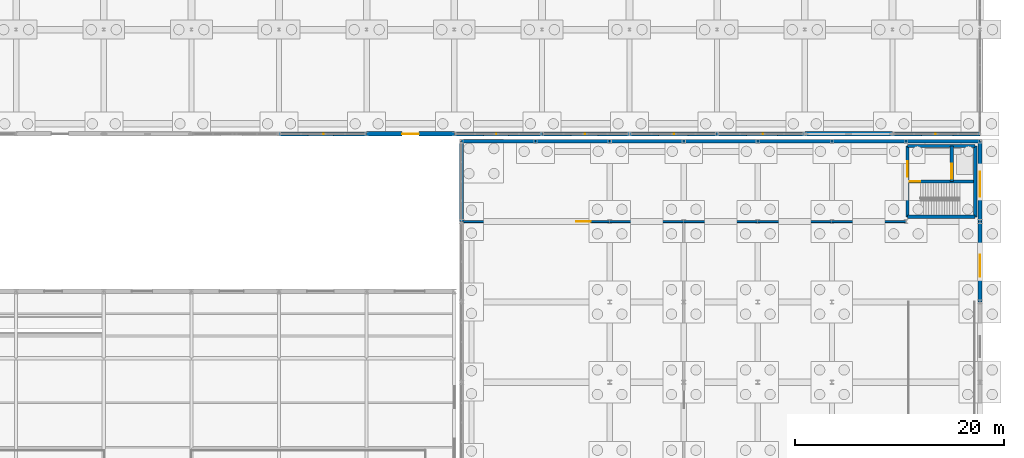
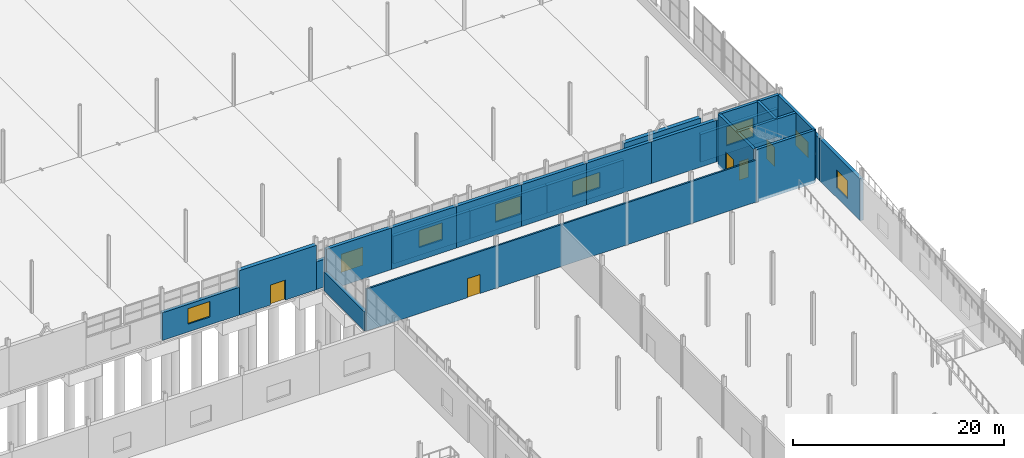
# One storey, part 128 of 139: 25 walls, 8 windows, 5 doors, 13 openings.
"""IFC4 building model written with IfcOpenShell, lengths in metres."""

from ifc_helpers import new_model, si_unit, direction, frame, frame_2d, origin, place, context, subcontext, project, spatial, rectangle, extrude, material, layer, layer_set, type_object, element, fill, save


model = new_model("IFC4")

# Units and contexts
model_context = context("Model", 3, precision=1e-05, world=origin(), true_north=direction((0.0, 1.0)))
body_context = subcontext(model_context, "Body", "Model", "MODEL_VIEW")
ifc_project = project(units=[si_unit("LENGTHUNIT", "METRE"), si_unit("AREAUNIT", "SQUARE_METRE"), si_unit("VOLUMEUNIT", "CUBIC_METRE"), si_unit("PLANEANGLEUNIT", "RADIAN"), si_unit("MASSUNIT", "GRAM", prefix="KILO")], contexts=[model_context])

# Site, building, storey
site_placement = place(None, origin())
site = spatial("IfcSite", under=ifc_project, at=site_placement, CompositionType="ELEMENT")
building_placement = place(site_placement, origin())
building = spatial("IfcBuilding", under=site, at=building_placement, Name="Kazenagashi Tramway Depot", CompositionType="ELEMENT")
storey_placement = place(building_placement, origin())
storey = spatial("IfcBuildingStorey", under=building, at=storey_placement, Name="L01", CompositionType="ELEMENT", Elevation=0.0)

# Wall, opening, door
ifc_material_1 = material(Name="Clay Brick Masonry JIS R 1250 Class 1 (20 MPa)", Category="masonry")
ifc_layer_1 = layer(ifc_material_1, 0.43)
ifc_layer_set_1 = layer_set([ifc_layer_1], Name="Clay Brick Masonry JIS R 1250 Class 1 (20 MPa)")
wall_type_1 = type_object("IfcWallType", Name="W-BK1", PredefinedType="SOLIDWALL", material=ifc_layer_set_1)
wall_1_placement = place(storey_placement, frame((137.2, 70.0, 0.0), z_axis=(0.0, 0.0, 1.0), x_axis=(1.0, 0.0, 0.0)))
wall_1 = element("IfcWall", 1, at=wall_1_placement, inside=storey, type_object=wall_type_1, Name="Exterior Brick Wall W-BK1 EWALL-0021", PredefinedType="SOLIDWALL", context=body_context, shape_type="SweptSolid", body=[
    extrude(rectangle(XDim=8.4, YDim=0.43, at=frame_2d((4.2, 0.0))), origin(), (0.0, 0.0, 1.0), 5.14),
])
opening_1_placement = place(wall_1_placement, frame((3.4, 0.0, 0.0)))
opening_1 = element("IfcOpeningElement", 2, at=opening_1_placement, cuts=wall_1, Name="Opening D-003", PredefinedType="OPENING", context=body_context, shape_type="SweptSolid", body=[
    extrude(rectangle(XDim=1.6, YDim=2.3, at=frame_2d((0.8, 1.15))), frame((0.0, 0.225, 0.0), z_axis=(0.0, -1.0, 0.0), x_axis=(1.0, 0.0, 0.0)), (0.0, 0.0, 1.0), 0.45),
])
ifc_material_2 = material(Name="Anodised Aluminium and Laminated Glass", Category="aluminium")
door_type_1 = type_object("IfcDoorType", Name="DT-02", OperationType="NOTDEFINED", PredefinedType="DOOR", material=ifc_material_2)
door_1_placement = place(opening_1_placement, frame((1.6, 0.0, 0.0), z_axis=(0.0, 0.0, 1.0), x_axis=(-1.0, 0.0, 0.0)))
door_1 = element("IfcDoor", 3, at=door_1_placement, inside=storey, type_object=door_type_1, Name="Stabling Shed Pedestrian Final Exit Door D-003", OperationType="DOUBLE_DOOR_SINGLE_SWING", OverallHeight=2.3, OverallWidth=1.6, PredefinedType="DOOR", context=body_context, shape_type="SweptSolid", body=[
    extrude(rectangle(XDim=1.6, YDim=2.3, at=frame_2d((0.8, 1.15))), frame((0.0, 0.025, 0.0), z_axis=(0.0, -1.0, 0.0), x_axis=(1.0, 0.0, 0.0)), (0.0, 0.0, 1.0), 0.05),
])
fill(opening_1, door_1)

# Wall
wall_2_placement = place(storey_placement, frame((179.2, 70.0, 0.0), z_axis=(0.0, 0.0, 1.0), x_axis=(1.0, 0.0, 0.0)))
element("IfcWall", 4, at=wall_2_placement, inside=storey, type_object=wall_type_1, Name="Exterior Brick Wall W-BK1 EWALL-0026", PredefinedType="SOLIDWALL", context=body_context, shape_type="SweptSolid", body=[
    extrude(rectangle(XDim=8.4, YDim=0.43, at=frame_2d((4.2, 0.0))), origin(), (0.0, 0.0, 1.0), 5.14),
])

# Wall, opening, window
ifc_layer_2 = layer(ifc_material_1, 0.36)
ifc_layer_set_2 = layer_set([ifc_layer_2], Name="Clay Brick Masonry JIS R 1250 Class 1 (20 MPa)")
wall_type_2 = type_object("IfcWallType", Name="W-BK2", PredefinedType="SOLIDWALL", material=ifc_layer_set_2)
wall_3_placement = place(storey_placement, frame((128.8, 70.0, 0.0), z_axis=(0.0, 0.0, 1.0), x_axis=(1.0, 0.0, 0.0)))
wall_3 = element("IfcWall", 5, at=wall_3_placement, inside=storey, type_object=wall_type_2, Name="Exterior Brick Wall W-BK2 EWALL-0020", PredefinedType="SOLIDWALL", context=body_context, shape_type="SweptSolid", body=[
    extrude(rectangle(XDim=8.4, YDim=0.36, at=frame_2d((4.2, 0.0))), origin(), (0.0, 0.0, 1.0), 3.2),
])
opening_2_placement = place(wall_3_placement, frame((2.8, 0.0, 0.9)))
opening_2 = element("IfcOpeningElement", 6, at=opening_2_placement, cuts=wall_3, Name="Opening WN-09", PredefinedType="OPENING", context=body_context, shape_type="SweptSolid", body=[
    extrude(rectangle(XDim=2.4, YDim=1.8, at=frame_2d((1.2, 0.9))), frame((0.0, 0.19, 0.0), z_axis=(0.0, -1.0, 0.0), x_axis=(1.0, 0.0, 0.0)), (0.0, 0.0, 1.0), 0.38),
])
ifc_material_3 = material(Name="Anodised Aluminium and Tempered Low-E Glass", Category="aluminium")
window_type_1 = type_object("IfcWindowType", Name="WN-09", PartitioningType="SINGLE_PANEL", PredefinedType="WINDOW", material=ifc_material_3)
window_1_placement = place(opening_2_placement, origin())
window_1 = element("IfcWindow", 7, at=window_1_placement, inside=storey, type_object=window_type_1, Name="Window WN-09 WIN-0009", OverallHeight=1.8, OverallWidth=2.4, PartitioningType="SINGLE_PANEL", PredefinedType="WINDOW", context=body_context, shape_type="SweptSolid", body=[
    extrude(rectangle(XDim=2.4, YDim=1.8, at=frame_2d((1.2, 0.9))), frame((0.0, 0.03, 0.0), z_axis=(0.0, -1.0, 0.0), x_axis=(1.0, 0.0, 0.0)), (0.0, 0.0, 1.0), 0.06),
])
fill(opening_2, window_1)

wall_4_placement = place(storey_placement, frame((145.6, 70.0, 0.0), z_axis=(0.0, 0.0, 1.0), x_axis=(1.0, 0.0, 0.0)))
wall_4 = element("IfcWall", 8, at=wall_4_placement, inside=storey, type_object=wall_type_2, Name="Exterior Brick Wall W-BK2 EWALL-0022", PredefinedType="SOLIDWALL", context=body_context, shape_type="SweptSolid", body=[
    extrude(rectangle(XDim=8.4, YDim=0.36, at=frame_2d((4.2, 0.0))), origin(), (0.0, 0.0, 1.0), 3.2),
])
opening_3_placement = place(wall_4_placement, frame((2.8, 0.0, 0.9)))
opening_3 = element("IfcOpeningElement", 9, at=opening_3_placement, cuts=wall_4, Name="Opening WN-10", PredefinedType="OPENING", context=body_context, shape_type="SweptSolid", body=[
    extrude(rectangle(XDim=2.4, YDim=2.1, at=frame_2d((1.2, 1.05))), frame((0.0, 0.19, 0.0), z_axis=(0.0, -1.0, 0.0), x_axis=(1.0, 0.0, 0.0)), (0.0, 0.0, 1.0), 0.38),
])
window_type_2 = type_object("IfcWindowType", Name="WN-10", PartitioningType="SINGLE_PANEL", PredefinedType="WINDOW", material=ifc_material_3)
window_2_placement = place(opening_3_placement, origin())
window_2 = element("IfcWindow", 10, at=window_2_placement, inside=storey, type_object=window_type_2, Name="Window WN-10 WIN-0010", OverallHeight=2.1, OverallWidth=2.4, PartitioningType="SINGLE_PANEL", PredefinedType="WINDOW", context=body_context, shape_type="SweptSolid", body=[
    extrude(rectangle(XDim=2.4, YDim=2.1, at=frame_2d((1.2, 1.05))), frame((0.0, 0.03, 0.0), z_axis=(0.0, -1.0, 0.0), x_axis=(1.0, 0.0, 0.0)), (0.0, 0.0, 1.0), 0.06),
])
fill(opening_3, window_2)

wall_5_placement = place(storey_placement, frame((154.0, 70.0, 0.0), z_axis=(0.0, 0.0, 1.0), x_axis=(1.0, 0.0, 0.0)))
wall_5 = element("IfcWall", 11, at=wall_5_placement, inside=storey, type_object=wall_type_2, Name="Exterior Brick Wall W-BK2 EWALL-0023", PredefinedType="SOLIDWALL", context=body_context, shape_type="SweptSolid", body=[
    extrude(rectangle(XDim=8.4, YDim=0.36, at=frame_2d((4.2, 0.0))), origin(), (0.0, 0.0, 1.0), 3.2),
])
opening_4_placement = place(wall_5_placement, frame((2.8, 0.0, 0.9)))
opening_4 = element("IfcOpeningElement", 12, at=opening_4_placement, cuts=wall_5, Name="Opening WN-11", PredefinedType="OPENING", context=body_context, shape_type="SweptSolid", body=[
    extrude(rectangle(XDim=2.6, YDim=2.0, at=frame_2d((1.3, 1.0))), frame((0.0, 0.19, 0.0), z_axis=(0.0, -1.0, 0.0), x_axis=(1.0, 0.0, 0.0)), (0.0, 0.0, 1.0), 0.38),
])
window_type_3 = type_object("IfcWindowType", Name="WN-11", PartitioningType="SINGLE_PANEL", PredefinedType="WINDOW", material=ifc_material_3)
window_3_placement = place(opening_4_placement, origin())
window_3 = element("IfcWindow", 13, at=window_3_placement, inside=storey, type_object=window_type_3, Name="Window WN-11 WIN-0011", OverallHeight=2.0, OverallWidth=2.6, PartitioningType="SINGLE_PANEL", PredefinedType="WINDOW", context=body_context, shape_type="SweptSolid", body=[
    extrude(rectangle(XDim=2.6, YDim=2.0, at=frame_2d((1.3, 1.0))), frame((0.0, 0.03, 0.0), z_axis=(0.0, -1.0, 0.0), x_axis=(1.0, 0.0, 0.0)), (0.0, 0.0, 1.0), 0.06),
])
fill(opening_4, window_3)

wall_6_placement = place(storey_placement, frame((162.4, 70.0, 0.0), z_axis=(0.0, 0.0, 1.0), x_axis=(1.0, 0.0, 0.0)))
wall_6 = element("IfcWall", 14, at=wall_6_placement, inside=storey, type_object=wall_type_2, Name="Exterior Brick Wall W-BK2 EWALL-0024", PredefinedType="SOLIDWALL", context=body_context, shape_type="SweptSolid", body=[
    extrude(rectangle(XDim=8.4, YDim=0.36, at=frame_2d((4.2, 0.0))), origin(), (0.0, 0.0, 1.0), 3.2),
])
opening_5_placement = place(wall_6_placement, frame((2.8, 0.0, 0.9)))
opening_5 = element("IfcOpeningElement", 15, at=opening_5_placement, cuts=wall_6, Name="Opening WN-12", PredefinedType="OPENING", context=body_context, shape_type="SweptSolid", body=[
    extrude(rectangle(XDim=2.8, YDim=2.1, at=frame_2d((1.4, 1.05))), frame((0.0, 0.19, 0.0), z_axis=(0.0, -1.0, 0.0), x_axis=(1.0, 0.0, 0.0)), (0.0, 0.0, 1.0), 0.38),
])
window_type_4 = type_object("IfcWindowType", Name="WN-12", PartitioningType="SINGLE_PANEL", PredefinedType="WINDOW", material=ifc_material_3)
window_4_placement = place(opening_5_placement, origin())
window_4 = element("IfcWindow", 16, at=window_4_placement, inside=storey, type_object=window_type_4, Name="Window WN-12 WIN-0012", OverallHeight=2.1, OverallWidth=2.8, PartitioningType="SINGLE_PANEL", PredefinedType="WINDOW", context=body_context, shape_type="SweptSolid", body=[
    extrude(rectangle(XDim=2.8, YDim=2.1, at=frame_2d((1.4, 1.05))), frame((0.0, 0.03, 0.0), z_axis=(0.0, -1.0, 0.0), x_axis=(1.0, 0.0, 0.0)), (0.0, 0.0, 1.0), 0.06),
])
fill(opening_5, window_4)

wall_7_placement = place(storey_placement, frame((170.8, 70.0, 0.0), z_axis=(0.0, 0.0, 1.0), x_axis=(1.0, 0.0, 0.0)))
wall_7 = element("IfcWall", 17, at=wall_7_placement, inside=storey, type_object=wall_type_2, Name="Exterior Brick Wall W-BK2 EWALL-0025", PredefinedType="SOLIDWALL", context=body_context, shape_type="SweptSolid", body=[
    extrude(rectangle(XDim=8.4, YDim=0.36, at=frame_2d((4.2, 0.0))), origin(), (0.0, 0.0, 1.0), 3.2),
])
opening_6_placement = place(wall_7_placement, frame((2.8, 0.0, 0.9)))
opening_6 = element("IfcOpeningElement", 18, at=opening_6_placement, cuts=wall_7, Name="Opening WN-13", PredefinedType="OPENING", context=body_context, shape_type="SweptSolid", body=[
    extrude(rectangle(XDim=3.0, YDim=1.8, at=frame_2d((1.5, 0.9))), frame((0.0, 0.19, 0.0), z_axis=(0.0, -1.0, 0.0), x_axis=(1.0, 0.0, 0.0)), (0.0, 0.0, 1.0), 0.38),
])
window_type_5 = type_object("IfcWindowType", Name="WN-13", PartitioningType="SINGLE_PANEL", PredefinedType="WINDOW", material=ifc_material_3)
window_5_placement = place(opening_6_placement, origin())
window_5 = element("IfcWindow", 19, at=window_5_placement, inside=storey, type_object=window_type_5, Name="Window WN-13 WIN-0013", OverallHeight=1.8, OverallWidth=3.0, PartitioningType="SINGLE_PANEL", PredefinedType="WINDOW", context=body_context, shape_type="SweptSolid", body=[
    extrude(rectangle(XDim=3.0, YDim=1.8, at=frame_2d((1.5, 0.9))), frame((0.0, 0.03, 0.0), z_axis=(0.0, -1.0, 0.0), x_axis=(1.0, 0.0, 0.0)), (0.0, 0.0, 1.0), 0.06),
])
fill(opening_6, window_5)

wall_8_placement = place(storey_placement, frame((187.6, 70.0, 0.0), z_axis=(0.0, 0.0, 1.0), x_axis=(1.0, 0.0, 0.0)))
wall_8 = element("IfcWall", 20, at=wall_8_placement, inside=storey, type_object=wall_type_2, Name="Exterior Brick Wall W-BK2 EWALL-0028", PredefinedType="SOLIDWALL", context=body_context, shape_type="SweptSolid", body=[
    extrude(rectangle(XDim=8.4, YDim=0.36, at=frame_2d((4.2, 0.0))), origin(), (0.0, 0.0, 1.0), 3.2),
])
opening_7_placement = place(wall_8_placement, frame((2.8, 0.0, 0.9)))
opening_7 = element("IfcOpeningElement", 21, at=opening_7_placement, cuts=wall_8, Name="Opening WN-14", PredefinedType="OPENING", context=body_context, shape_type="SweptSolid", body=[
    extrude(rectangle(XDim=3.0, YDim=2.2, at=frame_2d((1.5, 1.1))), frame((0.0, 0.19, 0.0), z_axis=(0.0, -1.0, 0.0), x_axis=(1.0, 0.0, 0.0)), (0.0, 0.0, 1.0), 0.38),
])
window_type_6 = type_object("IfcWindowType", Name="WN-14", PartitioningType="SINGLE_PANEL", PredefinedType="WINDOW", material=ifc_material_3)
window_6_placement = place(opening_7_placement, origin())
window_6 = element("IfcWindow", 22, at=window_6_placement, inside=storey, type_object=window_type_6, Name="Window WN-14 WIN-0014", OverallHeight=2.2, OverallWidth=3.0, PartitioningType="SINGLE_PANEL", PredefinedType="WINDOW", context=body_context, shape_type="SweptSolid", body=[
    extrude(rectangle(XDim=3.0, YDim=2.2, at=frame_2d((1.5, 1.1))), frame((0.0, 0.03, 0.0), z_axis=(0.0, -1.0, 0.0), x_axis=(1.0, 0.0, 0.0)), (0.0, 0.0, 1.0), 0.06),
])
fill(opening_7, window_6)

wall_9_placement = place(storey_placement, frame((196.0, 53.9, 0.0), z_axis=(0.0, 0.0, 1.0), x_axis=(0.0, 1.0, 0.0)))
wall_9 = element("IfcWall", 23, at=wall_9_placement, inside=storey, type_object=wall_type_2, Name="Exterior Brick Wall W-BK2 EWALL-0170", PredefinedType="SOLIDWALL", context=body_context, shape_type="SweptSolid", body=[
    extrude(rectangle(XDim=7.7, YDim=0.36, at=frame_2d((3.85, 0.0))), origin(), (0.0, 0.0, 1.0), 4.82),
])
opening_8_placement = place(wall_9_placement, frame((2.4, 0.0, 1.1)))
opening_8 = element("IfcOpeningElement", 24, at=opening_8_placement, cuts=wall_9, Name="Opening WN-08", PredefinedType="OPENING", context=body_context, shape_type="SweptSolid", body=[
    extrude(rectangle(XDim=2.1, YDim=2.1, at=frame_2d((1.05, 1.05))), frame((0.0, 0.19, 0.0), z_axis=(0.0, -1.0, 0.0), x_axis=(1.0, 0.0, 0.0)), (0.0, 0.0, 1.0), 0.38),
])
window_type_7 = type_object("IfcWindowType", Name="WN-08", PartitioningType="SINGLE_PANEL", PredefinedType="WINDOW", material=ifc_material_3)
window_7_placement = place(opening_8_placement, origin())
window_7 = element("IfcWindow", 25, at=window_7_placement, inside=storey, type_object=window_type_7, Name="Window WN-08 WIN-0165", OverallHeight=2.1, OverallWidth=2.1, PartitioningType="SINGLE_PANEL", PredefinedType="WINDOW", context=body_context, shape_type="SweptSolid", body=[
    extrude(rectangle(XDim=2.1, YDim=2.1, at=frame_2d((1.05, 1.05))), frame((0.0, 0.03, 0.0), z_axis=(0.0, -1.0, 0.0), x_axis=(1.0, 0.0, 0.0)), (0.0, 0.0, 1.0), 0.06),
])
fill(opening_8, window_7)

wall_10_placement = place(storey_placement, frame((196.0, 61.6, 0.0), z_axis=(0.0, 0.0, 1.0), x_axis=(0.0, 1.0, 0.0)))
wall_10 = element("IfcWall", 26, at=wall_10_placement, inside=storey, type_object=wall_type_2, Name="Exterior Brick Wall W-BK2 EWALL-0172", PredefinedType="SOLIDWALL", context=body_context, shape_type="SweptSolid", body=[
    extrude(rectangle(XDim=7.7, YDim=0.36, at=frame_2d((3.85, 0.0))), origin(), (0.0, 0.0, 1.0), 4.82),
])
opening_9_placement = place(wall_10_placement, frame((2.4, 0.0, 1.1)))
opening_9 = element("IfcOpeningElement", 27, at=opening_9_placement, cuts=wall_10, Name="Opening WN-09", PredefinedType="OPENING", context=body_context, shape_type="SweptSolid", body=[
    extrude(rectangle(XDim=2.4, YDim=1.8, at=frame_2d((1.2, 0.9))), frame((0.0, 0.19, 0.0), z_axis=(0.0, -1.0, 0.0), x_axis=(1.0, 0.0, 0.0)), (0.0, 0.0, 1.0), 0.38),
])
window_8_placement = place(opening_9_placement, origin())
window_8 = element("IfcWindow", 28, at=window_8_placement, inside=storey, type_object=window_type_1, Name="Window WN-09 WIN-0167", OverallHeight=1.8, OverallWidth=2.4, PartitioningType="SINGLE_PANEL", PredefinedType="WINDOW", context=body_context, shape_type="SweptSolid", body=[
    extrude(rectangle(XDim=2.4, YDim=1.8, at=frame_2d((1.2, 0.9))), frame((0.0, 0.03, 0.0), z_axis=(0.0, -1.0, 0.0), x_axis=(1.0, 0.0, 0.0)), (0.0, 0.0, 1.0), 0.06),
])
fill(opening_9, window_8)

# Walls
wall_11_placement = place(storey_placement, frame((146.3, 61.6, 0.0), z_axis=(0.0, 0.0, 1.0), x_axis=(0.0, 1.0, 0.0)))
element("IfcWall", 29, at=wall_11_placement, inside=storey, type_object=wall_type_2, Name="Exterior Brick Wall W-BK2 EWALL-0307", PredefinedType="SOLIDWALL", context=body_context, shape_type="SweptSolid", body=[
    extrude(rectangle(XDim=7.7, YDim=0.36, at=frame_2d((3.85, 0.0))), origin(), (0.0, 0.0, 1.0), 2.2),
])
for number, where, z_axis, x_axis, name in (
    (30, (146.3, 69.3, 0.0), (0.0, 0.0, 1.0), (1.0, 0.0, 0.0), "Exterior Brick Wall W-BK2 EWALL-0324"),
    (31, (153.4, 69.3, 0.0), (0.0, 0.0, 1.0), (1.0, 0.0, 0.0), "Exterior Brick Wall W-BK2 EWALL-0327"),
    (32, (160.5, 69.3, 0.0), (0.0, 0.0, 1.0), (1.0, 0.0, 0.0), "Exterior Brick Wall W-BK2 EWALL-0330"),
    (33, (167.6, 69.3, 0.0), (0.0, 0.0, 1.0), (1.0, 0.0, 0.0), "Exterior Brick Wall W-BK2 EWALL-0333"),
    (34, (174.7, 69.3, 0.0), (0.0, 0.0, 1.0), (1.0, 0.0, 0.0), "Exterior Brick Wall W-BK2 EWALL-0336"),
    (35, (181.8, 69.3, 0.0), (0.0, 0.0, 1.0), (1.0, 0.0, 0.0), "Exterior Brick Wall W-BK2 EWALL-0339"),
    (36, (188.9, 69.3, 0.0), (0.0, 0.0, 1.0), (1.0, 0.0, 0.0), "Exterior Brick Wall W-BK2 EWALL-0342"),
):
    element("IfcWall", number, at=place(storey_placement, frame(where, z_axis=z_axis, x_axis=x_axis)), inside=storey, type_object=wall_type_2, Name=name, PredefinedType="SOLIDWALL", context=body_context, shape_type="SweptSolid", body=[
        extrude(rectangle(XDim=7.1, YDim=0.36, at=frame_2d((3.55, 0.0))), origin(), (0.0, 0.0, 1.0), 4.82),
    ])

# Wall, opening, door
ifc_material_4 = material(Name="Gypsum Plasterboard Partition", Category="gypsum")
ifc_layer_3 = layer(ifc_material_4, 0.18)
ifc_layer_set_3 = layer_set([ifc_layer_3], Name="Gypsum Plasterboard Partition")
wall_type_3 = type_object("IfcWallType", Name="W-PT4", PredefinedType="PARTITIONING", material=ifc_layer_set_3)
wall_12_placement = place(storey_placement, frame((146.3, 61.6, 0.0), z_axis=(0.0, 0.0, 1.0), x_axis=(1.0, 0.0, 0.0)))
wall_12 = element("IfcWall", 37, at=wall_12_placement, inside=storey, type_object=wall_type_3, Name="Interior Partition W-PT4 IWALL-0253", PredefinedType="PARTITIONING", context=body_context, shape_type="SweptSolid", body=[
    extrude(rectangle(XDim=42.6, YDim=0.18, at=frame_2d((21.3, 0.0))), origin(), (0.0, 0.0, 1.0), 4.85),
])
opening_10_placement = place(wall_12_placement, frame((11.0, 0.0, 0.0)))
opening_10 = element("IfcOpeningElement", 38, at=opening_10_placement, cuts=wall_12, Name="Opening D-152", PredefinedType="OPENING", context=body_context, shape_type="SweptSolid", body=[
    extrude(rectangle(XDim=1.4, YDim=2.2, at=frame_2d((0.7, 1.1))), frame((0.0, 0.1, 0.0), z_axis=(0.0, -1.0, 0.0), x_axis=(1.0, 0.0, 0.0)), (0.0, 0.0, 1.0), 0.2),
])
ifc_material_5 = material(Name="Powder-Coated Steel Door", Category="steel")
door_type_2 = type_object("IfcDoorType", Name="DT-16", OperationType="NOTDEFINED", PredefinedType="DOOR", material=ifc_material_5)
door_2_placement = place(opening_10_placement, origin())
door_2 = element("IfcDoor", 39, at=door_2_placement, inside=storey, type_object=door_type_2, Name="Interior Door D-152", OperationType="DOUBLE_DOOR_SINGLE_SWING", OverallHeight=2.2, OverallWidth=1.4, PredefinedType="DOOR", context=body_context, shape_type="SweptSolid", body=[
    extrude(rectangle(XDim=1.4, YDim=2.2, at=frame_2d((0.7, 1.1))), frame((0.0, 0.025, 0.0), z_axis=(0.0, -1.0, 0.0), x_axis=(1.0, 0.0, 0.0)), (0.0, 0.0, 1.0), 0.05),
])
fill(opening_10, door_2)

# Walls
ifc_material_6 = material(Name="Concrete Fc36", Category="concrete")
ifc_layer_4 = layer(ifc_material_6, 0.3)
ifc_layer_set_4 = layer_set([ifc_layer_4], Name="Concrete Fc36")
wall_type_4 = type_object("IfcWallType", Name="W-RC1", PredefinedType="SHEAR", material=ifc_layer_set_4)
for number, where, z_axis, x_axis, name in (
    (40, (189.06, 62.06, -0.35), (0.0, 0.0, 1.0), (1.0, 0.0, 0.0), "Core Shear Wall W-RC1 IWALL-0199"),
    (41, (189.06, 68.84, -0.35), (0.0, 0.0, 1.0), (1.0, 0.0, 0.0), "Core Shear Wall W-RC1 IWALL-0200"),
):
    element("IfcWall", number, at=place(storey_placement, frame(where, z_axis=z_axis, x_axis=x_axis)), inside=storey, type_object=wall_type_4, Name=name, PredefinedType="SHEAR", context=body_context, shape_type="SweptSolid", body=[
        extrude(rectangle(XDim=6.48, YDim=0.3, at=frame_2d((3.24, 0.0))), origin(), (0.0, 0.0, 1.0), 6.07),
    ])

# Wall, opening, door
wall_13_placement = place(storey_placement, frame((189.06, 62.06, -0.35), z_axis=(0.0, 0.0, 1.0), x_axis=(0.0, 1.0, 0.0)))
wall_13 = element("IfcWall", 42, at=wall_13_placement, inside=storey, type_object=wall_type_4, Name="Core Shear Wall W-RC1 IWALL-0201", PredefinedType="SHEAR", context=body_context, shape_type="SweptSolid", body=[
    extrude(rectangle(XDim=6.78, YDim=0.3, at=frame_2d((3.39, 0.0))), origin(), (0.0, 0.0, 1.0), 6.07),
])
opening_11_placement = place(wall_13_placement, frame((3.84, 0.0, 0.35)))
opening_11 = element("IfcOpeningElement", 43, at=opening_11_placement, cuts=wall_13, Name="Opening D-117", PredefinedType="OPENING", context=body_context, shape_type="SweptSolid", body=[
    extrude(rectangle(XDim=1.5, YDim=2.2, at=frame_2d((0.75, 1.1))), frame((0.0, 0.16, 0.0), z_axis=(0.0, -1.0, 0.0), x_axis=(1.0, 0.0, 0.0)), (0.0, 0.0, 1.0), 0.32),
])
ifc_material_7 = material(Name="Galvanised Fire-Rated Steel Door", Category="steel")
door_type_3 = type_object("IfcDoorType", Name="DT-05", OperationType="NOTDEFINED", PredefinedType="DOOR", material=ifc_material_7)
door_3_placement = place(opening_11_placement, origin())
door_3 = element("IfcDoor", 44, at=door_3_placement, inside=storey, type_object=door_type_3, Name="Interior Door D-117", OperationType="DOUBLE_DOOR_SINGLE_SWING", OverallHeight=2.2, OverallWidth=1.5, PredefinedType="DOOR", context=body_context, shape_type="SweptSolid", body=[
    extrude(rectangle(XDim=1.5, YDim=2.2, at=frame_2d((0.75, 1.1))), frame((0.0, 0.025, 0.0), z_axis=(0.0, -1.0, 0.0), x_axis=(1.0, 0.0, 0.0)), (0.0, 0.0, 1.0), 0.05),
])
fill(opening_11, door_3)

# Wall
wall_14_placement = place(storey_placement, frame((195.54, 62.06, -0.35), z_axis=(0.0, 0.0, 1.0), x_axis=(0.0, 1.0, 0.0)))
element("IfcWall", 45, at=wall_14_placement, inside=storey, type_object=wall_type_4, Name="Core Shear Wall W-RC1 IWALL-0202", PredefinedType="SHEAR", context=body_context, shape_type="SweptSolid", body=[
    extrude(rectangle(XDim=6.78, YDim=0.3, at=frame_2d((3.39, 0.0))), origin(), (0.0, 0.0, 1.0), 6.07),
])

# Wall, opening, door
wall_15_placement = place(storey_placement, frame((189.06, 65.45, -0.35), z_axis=(0.0, 0.0, 1.0), x_axis=(1.0, 0.0, 0.0)))
wall_15 = element("IfcWall", 46, at=wall_15_placement, inside=storey, type_object=wall_type_4, Name="Core Shear Wall W-RC1 IWALL-0203", PredefinedType="SHEAR", context=body_context, shape_type="SweptSolid", body=[
    extrude(rectangle(XDim=6.48, YDim=0.3, at=frame_2d((3.24, 0.0))), origin(), (0.0, 0.0, 1.0), 6.07),
])
opening_12_placement = place(wall_15_placement, frame((0.185, 0.0, 0.35)))
opening_12 = element("IfcOpeningElement", 47, at=opening_12_placement, cuts=wall_15, Name="Opening D-116", PredefinedType="OPENING", context=body_context, shape_type="SweptSolid", body=[
    extrude(rectangle(XDim=1.05, YDim=2.15, at=frame_2d((0.525, 1.075))), frame((0.0, 0.16, 0.0), z_axis=(0.0, -1.0, 0.0), x_axis=(1.0, 0.0, 0.0)), (0.0, 0.0, 1.0), 0.32),
])
door_type_4 = type_object("IfcDoorType", Name="DT-07", OperationType="NOTDEFINED", PredefinedType="DOOR", material=ifc_material_7)
door_4_placement = place(opening_12_placement, origin())
door_4 = element("IfcDoor", 48, at=door_4_placement, inside=storey, type_object=door_type_4, Name="Interior Door D-116", OperationType="SINGLE_SWING_LEFT", OverallHeight=2.15, OverallWidth=1.05, PredefinedType="DOOR", context=body_context, shape_type="SweptSolid", body=[
    extrude(rectangle(XDim=1.05, YDim=2.15, at=frame_2d((0.525, 1.075))), frame((0.0, 0.025, 0.0), z_axis=(0.0, -1.0, 0.0), x_axis=(1.0, 0.0, 0.0)), (0.0, 0.0, 1.0), 0.05),
])
fill(opening_12, door_4)

wall_16_placement = place(storey_placement, frame((193.29, 65.45, -0.35), z_axis=(0.0, 0.0, 1.0), x_axis=(0.0, 1.0, 0.0)))
wall_16 = element("IfcWall", 49, at=wall_16_placement, inside=storey, type_object=wall_type_4, Name="Core Shear Wall W-RC1 IWALL-0204", PredefinedType="SHEAR", context=body_context, shape_type="SweptSolid", body=[
    extrude(rectangle(XDim=3.39, YDim=0.3, at=frame_2d((1.695, 0.0))), origin(), (0.0, 0.0, 1.0), 6.07),
])
opening_13_placement = place(wall_16_placement, frame((0.25, 0.0, 0.35)))
opening_13 = element("IfcOpeningElement", 50, at=opening_13_placement, cuts=wall_16, Name="Opening LD-27", PredefinedType="OPENING", context=body_context, shape_type="SweptSolid", body=[
    extrude(rectangle(XDim=1.45, YDim=2.25, at=frame_2d((0.725, 1.125))), frame((0.0, 0.16, 0.0), z_axis=(0.0, -1.0, 0.0), x_axis=(1.0, 0.0, 0.0)), (0.0, 0.0, 1.0), 0.32),
])
ifc_material_8 = material(Name="Brushed Stainless Steel Landing Door", Category="steel")
door_type_5 = type_object("IfcDoorType", Name="DT-32", OperationType="NOTDEFINED", PredefinedType="DOOR", material=ifc_material_8)
door_5_placement = place(opening_13_placement, origin())
door_5 = element("IfcDoor", 51, at=door_5_placement, inside=storey, type_object=door_type_5, Name="Lift Sliding Landing Door LD-27", OperationType="SLIDING_TO_LEFT", OverallHeight=2.25, OverallWidth=1.45, PredefinedType="DOOR", context=body_context, shape_type="SweptSolid", body=[
    extrude(rectangle(XDim=1.45, YDim=2.25, at=frame_2d((0.725, 1.125))), frame((0.0, 0.025, 0.0), z_axis=(0.0, -1.0, 0.0), x_axis=(1.0, 0.0, 0.0)), (0.0, 0.0, 1.0), 0.05),
])
fill(opening_13, door_5)

save(model, "model.ifc")
